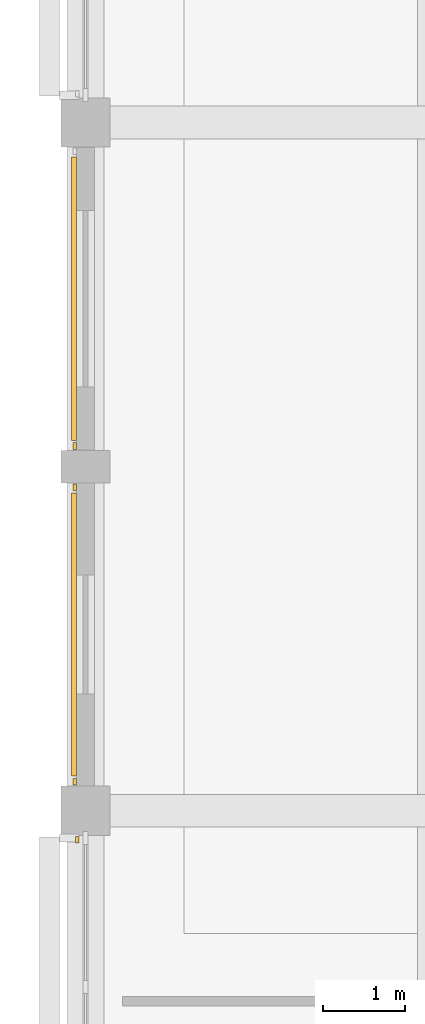
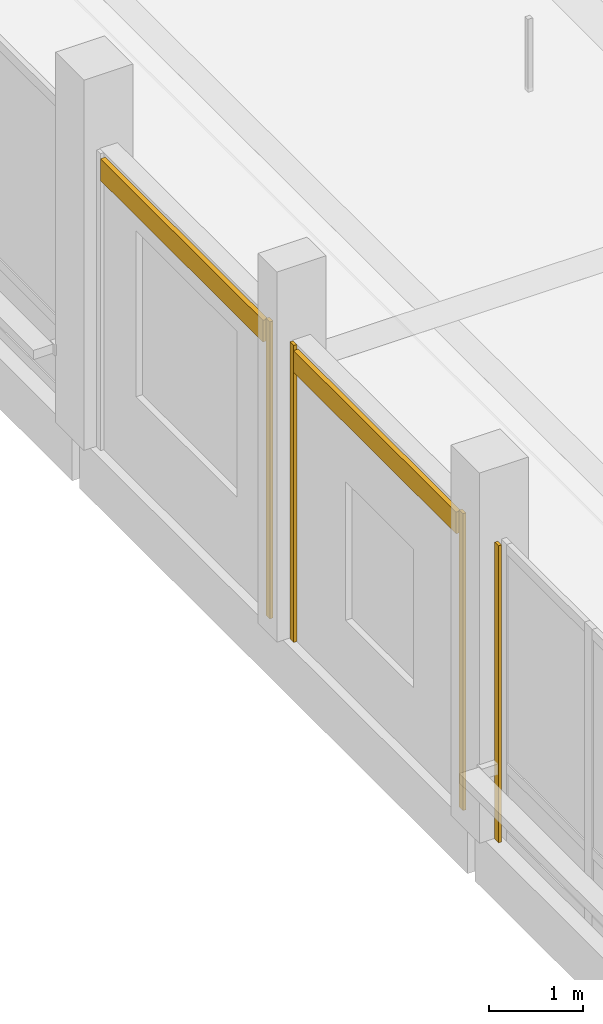
# One storey, part 100 of 122: 6 coverings.
"""IFC4 building model written with IfcOpenShell, lengths in metres."""

from ifc_helpers import new_model, si_unit, direction, frame, origin, origin_2d, place, context, subcontext, project, spatial, rectangle, extrude, material, layer, layer_set, type_object, element, save


model = new_model("IFC4")

# Units and contexts
model_context = context("Model", 3, precision=1e-05, world=origin(), true_north=direction((0.0, 1.0)))
body_context = subcontext(model_context, "Body", "Model", "MODEL_VIEW")
ifc_project = project(units=[si_unit("LENGTHUNIT", "METRE"), si_unit("AREAUNIT", "SQUARE_METRE"), si_unit("VOLUMEUNIT", "CUBIC_METRE"), si_unit("PLANEANGLEUNIT", "RADIAN"), si_unit("MASSUNIT", "GRAM", prefix="KILO")], contexts=[model_context])

# Site, building, storey
site_placement = place(None, origin())
site = spatial("IfcSite", under=ifc_project, at=site_placement, CompositionType="ELEMENT")
building_placement = place(site_placement, origin())
building = spatial("IfcBuilding", under=site, at=building_placement, Name="Telukmera Botanical Conservatory", CompositionType="ELEMENT")
storey_placement = place(building_placement, frame((0.0, 0.0, 10.199951171875)))
storey = spatial("IfcBuildingStorey", under=building, at=storey_placement, Name="L02", CompositionType="ELEMENT", Elevation=10.199951171875)

# Coverings
ifc_material_1 = material(Name="Granite-faced precast concrete C40/50", Category="masonry")
ifc_layer_1 = layer(ifc_material_1, 0.0400390625)
ifc_layer_set_1 = layer_set([ifc_layer_1], Name="Granite-faced precast concrete C40/50")
covering_type_1 = type_object("IfcCoveringType", Name="Granite Precast Column Pier Reveal Casing", PredefinedType="CLADDING", material=ifc_layer_set_1)
for number, where, z_axis, x_axis, name in (
    (1, (8.300048828125, 57.64794921875, 0.0), (0.0, 0.0, 1.0), (0.0, 1.0, 0.0), "Granite Pier Reveal V3:L02:W5B R"),
    (2, (8.27001953125, 58.35205078125, 0.0), (0.0, 0.0, 1.0), (0.0, 1.0, 0.0), "Granite Pier Reveal V3:L02:W6A L"),
    (3, (8.27001953125, 61.947998046875, 0.0), (0.0, 0.0, 1.0), (0.0, 1.0, 0.0), "Granite Pier Reveal V3:L02:W6A R"),
    (4, (8.27001953125, 62.451904296875, 0.0), (0.0, 0.0, 1.0), (0.0, 1.0, 0.0), "Granite Pier Reveal V3:L02:W6B L"),
):
    element("IfcCovering", number, at=place(storey_placement, frame(where, z_axis=z_axis, x_axis=x_axis)), inside=storey, type_object=covering_type_1, Name=name, PredefinedType="CLADDING", context=body_context, shape_type="SweptSolid", body=[
        extrude(rectangle(XDim=0.080078125, YDim=0.0400390625, at=origin_2d()), origin(), (0.0, 0.0, 1.0), 3.85009765625),
    ])
ifc_material_2 = material(Name="Terracotta-faced precast concrete C40/50", Category="masonry")
ifc_layer_2 = layer(ifc_material_2, 0.06005859375)
ifc_layer_set_2 = layer_set([ifc_layer_2], Name="Terracotta-faced precast concrete C40/50")
covering_type_2 = type_object("IfcCoveringType", Name="Polychrome Terracotta Facade Band Cladding", PredefinedType="CLADDING", material=ifc_layer_set_2)
for number, where, z_axis, x_axis, name in (
    (5, (8.260009765625, 60.14990234375, 3.5302734375), (0.0, 0.0, 1.0), (0.0, 1.0, 0.0), "Polychrome Terracotta Band V3:L02:W6A"),
    (6, (8.260009765625, 64.25, 3.5302734375), (0.0, 0.0, 1.0), (0.0, 1.0, 0.0), "Polychrome Terracotta Band V3:L02:W6B"),
):
    element("IfcCovering", number, at=place(storey_placement, frame(where, z_axis=z_axis, x_axis=x_axis)), inside=storey, type_object=covering_type_2, Name=name, PredefinedType="CLADDING", context=body_context, shape_type="SweptSolid", body=[
        extrude(rectangle(XDim=3.4560546875, YDim=0.06005859375, at=origin_2d()), origin(), (0.0, 0.0, 1.0), 0.280029296875),
    ])

save(model, "model.ifc")
